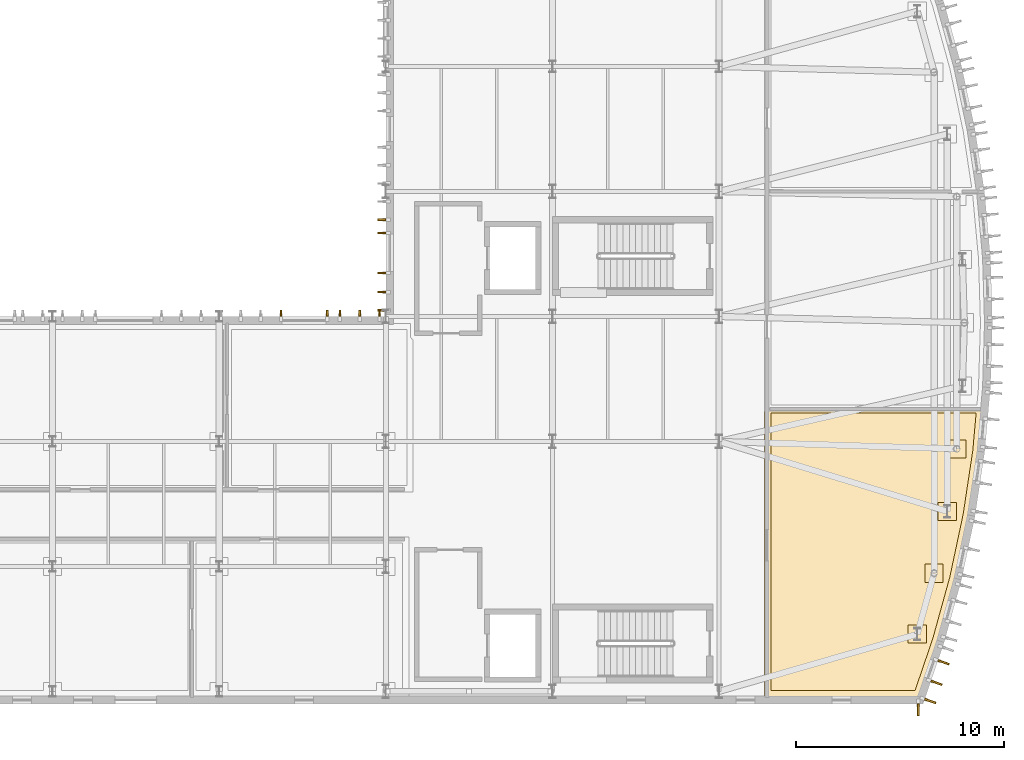
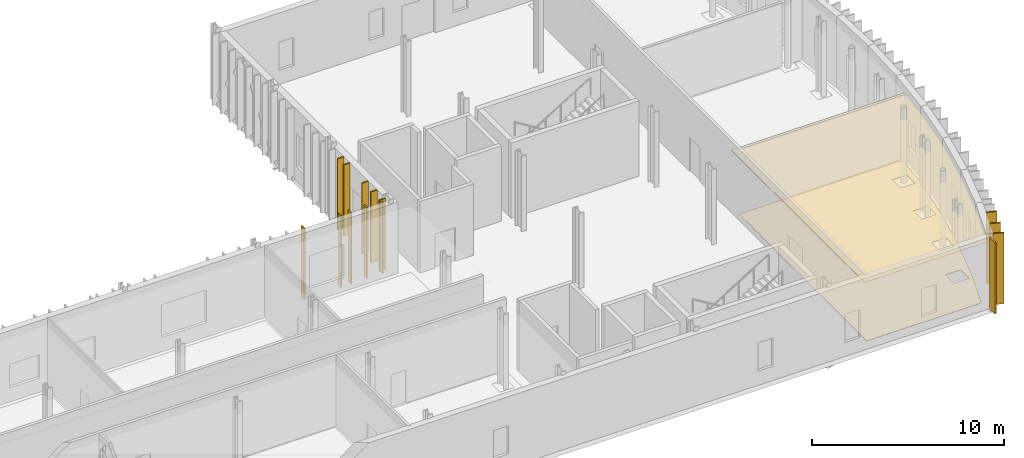
# One storey, part 58 of 60: 16 coverings.
"""IFC4 building model written with IfcOpenShell, lengths in metres."""

from ifc_helpers import new_model, si_unit, direction, frame, origin, origin_2d, place, context, subcontext, project, spatial, polyline, rectangle, outline, extrude, material, layer, layer_set, type_object, element, save


model = new_model("IFC4")

# Units and contexts
model_context = context("Model", 3, precision=1e-05, world=origin(), true_north=direction((0.0, 1.0)))
body_context = subcontext(model_context, "Body", "Model", "MODEL_VIEW")
ifc_project = project(units=[si_unit("LENGTHUNIT", "METRE"), si_unit("AREAUNIT", "SQUARE_METRE"), si_unit("VOLUMEUNIT", "CUBIC_METRE"), si_unit("PLANEANGLEUNIT", "RADIAN"), si_unit("MASSUNIT", "GRAM", prefix="KILO")], contexts=[model_context])

# Site, building, storey
site_placement = place(None, origin())
site = spatial("IfcSite", under=ifc_project, at=site_placement, CompositionType="ELEMENT")
building_placement = place(site_placement, origin())
building = spatial("IfcBuilding", under=site, at=building_placement, Name="Cymarion Research Institute", CompositionType="ELEMENT")
storey_placement = place(building_placement, origin())
storey = spatial("IfcBuildingStorey", under=building, at=storey_placement, Name="L00", CompositionType="ELEMENT", Elevation=0.0)

# Coverings
ifc_material_1 = material(Name="Micro-perforated mineral acoustic ceiling tile", Category="gypsum")
ifc_layer_1 = layer(ifc_material_1, 0.030029296875)
ifc_layer_set_1 = layer_set([ifc_layer_1], Name="Micro-perforated mineral acoustic ceiling tile")
covering_type_1 = type_object("IfcCoveringType", Name="ACOUSTIC MICRO-PERFORATED SUSPENDED CEILING CLG-01", PredefinedType="CEILING", material=ifc_layer_set_1)
covering_1_placement = place(storey_placement, frame((0.0, 0.0, 4.0)))
element("IfcCovering", 1, at=covering_1_placement, inside=storey, type_object=covering_type_1, Name="L00 L00 Curved Prow Wet Synthesis Laboratory acoustic ceiling", PredefinedType="CEILING", context=body_context, shape_type="SweptSolid", body=[
    extrude(outline(polyline([(167.27490234375, 19.175048828125), (167.080078125, 17.014404296875), (166.617431640625, 13.94921875), (165.971923828125, 10.91748046875), (165.14599609375, 7.9296875), (164.22412109375, 5.235107421875), (156.784912109375, 5.235107421875), (156.784912109375, 19.175048828125), (167.27490234375, 19.175048828125)])), origin(), (0.0, 0.0, 1.0), 0.030029296875),
])
ifc_material_2 = material(Name="Precast concrete C45/55 architectural white", Category="concrete")
ifc_layer_2 = layer(ifc_material_2, 0.090087890625)
ifc_layer_set_2 = layer_set([ifc_layer_2], Name="Precast concrete C45/55 architectural white")
covering_type_2 = type_object("IfcCoveringType", Name="ARCHITECTURAL WHITE PRECAST CONCRETE VERTICAL FIN FIN1 560MM", PredefinedType="CLADDING", material=ifc_layer_set_2)
for number, where, z_axis, x_axis, name in (
    (2, (164.159912109375, 4.617919921875, 0.009765625), (0.0, 0.0, 1.0), (0.0, -1.0, 0.0), "L00 V1 white precast vertical fin FIN1 #4"),
    (3, (164.744384765625, 5.035888671875, 0.009765625), (0.0, 0.0, 1.0), (0.946141878672, -0.32375229022, 0.0), "L00 V1 white precast vertical fin FIN1 #5"),
    (4, (165.043701171875, 5.91064453125, 0.009765625), (0.0, 0.0, 1.0), (0.946141878672, -0.32375229022, 0.0), "L00 V1 white precast vertical fin FIN1 #6"),
    (5, (165.380615234375, 6.89453125, 0.009765625), (0.0, 0.0, 1.0), (0.946141878672, -0.32375229022, 0.0), "L00 V1 white precast vertical fin FIN1 #7"),
):
    element("IfcCovering", number, at=place(storey_placement, frame(where, z_axis=z_axis, x_axis=x_axis)), inside=storey, type_object=covering_type_2, Name=name, PredefinedType="CLADDING", context=body_context, shape_type="SweptSolid", body=[
        extrude(rectangle(XDim=0.56005859375, YDim=0.090087890625, at=origin_2d()), origin(), (0.0, 0.0, 1.0), 4.530029296875),
    ])
ifc_layer_3 = layer(ifc_material_2, 0.0849609375)
ifc_layer_set_3 = layer_set([ifc_layer_3], Name="Precast concrete C45/55 architectural white")
covering_type_3 = type_object("IfcCoveringType", Name="ARCHITECTURAL WHITE PRECAST CONCRETE VERTICAL FIN FIN3 380MM", PredefinedType="CLADDING", material=ifc_layer_set_3)
for number, where, z_axis, x_axis, name in (
    (6, (138.407958984375, 28.14990234375, 0.009765625), (0.0, 0.0, 1.0), (-1.0, 0.0, 0.0), "L00 V1 white precast vertical fin FIN3 #68"),
    (7, (138.407958984375, 27.510009765625, 0.009765625), (0.0, 0.0, 1.0), (-1.0, 0.0, 0.0), "L00 V1 white precast vertical fin FIN3 #69"),
    (8, (138.407958984375, 25.590087890625, 0.009765625), (0.0, 0.0, 1.0), (-1.0, 0.0, 0.0), "L00 V1 white precast vertical fin FIN3 #70"),
    (9, (138.407958984375, 24.669921875, 0.009765625), (0.0, 0.0, 1.0), (-1.0, 0.0, 0.0), "L00 V1 white precast vertical fin FIN3 #71"),
    (10, (138.407958984375, 23.800048828125, 0.009765625), (0.0, 0.0, 1.0), (-1.0, 0.0, 0.0), "L00 V1 white precast vertical fin FIN3 #72"),
):
    element("IfcCovering", number, at=place(storey_placement, frame(where, z_axis=z_axis, x_axis=x_axis)), inside=storey, type_object=covering_type_3, Name=name, PredefinedType="CLADDING", context=body_context, shape_type="SweptSolid", body=[
        extrude(rectangle(XDim=0.3798828125, YDim=0.0849609375, at=origin_2d()), origin(), (0.0, 0.0, 1.0), 4.530029296875),
    ])
ifc_layer_4 = layer(ifc_material_2, 0.080078125)
ifc_layer_set_4 = layer_set([ifc_layer_4], Name="Precast concrete C45/55 architectural white")
covering_type_4 = type_object("IfcCoveringType", Name="ARCHITECTURAL WHITE PRECAST CONCRETE VERTICAL FIN FIN4 300MM", PredefinedType="CLADDING", material=ifc_layer_set_4)
for number, where, z_axis, x_axis, name in (
    (11, (138.300048828125, 23.652099609375, 0.009765625), (0.0, 0.0, 1.0), (0.0, 1.0, 0.0), "L00 V1 white precast vertical fin FIN4 #73"),
    (12, (137.3486328125, 23.652099609375, 0.009765625), (0.0, 0.0, 1.0), (0.0, 1.0, 0.0), "L00 V1 white precast vertical fin FIN4 #74"),
    (13, (136.397216796875, 23.652099609375, 0.009765625), (0.0, 0.0, 1.0), (0.0, 1.0, 0.0), "L00 V1 white precast vertical fin FIN4 #75"),
    (14, (135.7900390625, 23.652099609375, 0.009765625), (0.0, 0.0, 1.0), (0.0, 1.0, 0.0), "L00 V1 white precast vertical fin FIN4 #76"),
    (15, (133.570068359375, 23.652099609375, 0.009765625), (0.0, 0.0, 1.0), (0.0, 1.0, 0.0), "L00 V1 white precast vertical fin FIN4 #77"),
):
    element("IfcCovering", number, at=place(storey_placement, frame(where, z_axis=z_axis, x_axis=x_axis)), inside=storey, type_object=covering_type_4, Name=name, PredefinedType="CLADDING", context=body_context, shape_type="SweptSolid", body=[
        extrude(rectangle(XDim=0.300048828125, YDim=0.080078125, at=origin_2d()), origin(), (0.0, 0.0, 1.0), 4.530029296875),
    ])
ifc_material_3 = material(Name="Seamless dissipative epoxy resin flooring", Category="resin")
ifc_layer_5 = layer(ifc_material_3, 0.02001953125)
ifc_layer_set_5 = layer_set([ifc_layer_5], Name="Seamless dissipative epoxy resin flooring")
covering_type_5 = type_object("IfcCoveringType", Name="SEAMLESS ESD EPOXY LABORATORY FLOORING FLR-01", PredefinedType="FLOORING", material=ifc_layer_set_5)
covering_2_placement = place(storey_placement, origin())
element("IfcCovering", 16, at=covering_2_placement, inside=storey, type_object=covering_type_5, Name="L00 L00 Curved Prow Wet Synthesis Laboratory ESD epoxy flooring", PredefinedType="FLOORING", context=body_context, shape_type="SweptSolid", body=[
    extrude(outline(polyline([(157.0849609375, 18.875), (166.94677734375, 18.875), (166.7822265625, 17.05029296875), (166.322021484375, 14.0029296875), (165.680419921875, 10.98876953125), (164.859130859375, 8.018310546875), (164.009521484375, 5.534912109375), (157.0849609375, 5.534912109375), (157.0849609375, 18.875)]), holes=[polyline([(166.447998046875, 17.577880859375), (165.577880859375, 17.577880859375), (165.577880859375, 16.707763671875), (166.447998046875, 16.707763671875), (166.447998046875, 17.577880859375)]), polyline([(165.994873046875, 14.576416015625), (165.125, 14.576416015625), (165.125, 13.70654296875), (165.994873046875, 13.70654296875), (165.994873046875, 14.576416015625)]), polyline([(165.36279296875, 11.607666015625), (164.492919921875, 11.607666015625), (164.492919921875, 10.73779296875), (165.36279296875, 10.73779296875), (165.36279296875, 11.607666015625)]), polyline([(164.553955078125, 8.681884765625), (163.68408203125, 8.681884765625), (163.68408203125, 7.81201171875), (164.553955078125, 7.81201171875), (164.553955078125, 8.681884765625)])]), origin(), (0.0, 0.0, 1.0), 0.02001953125),
])

save(model, "model.ifc")
